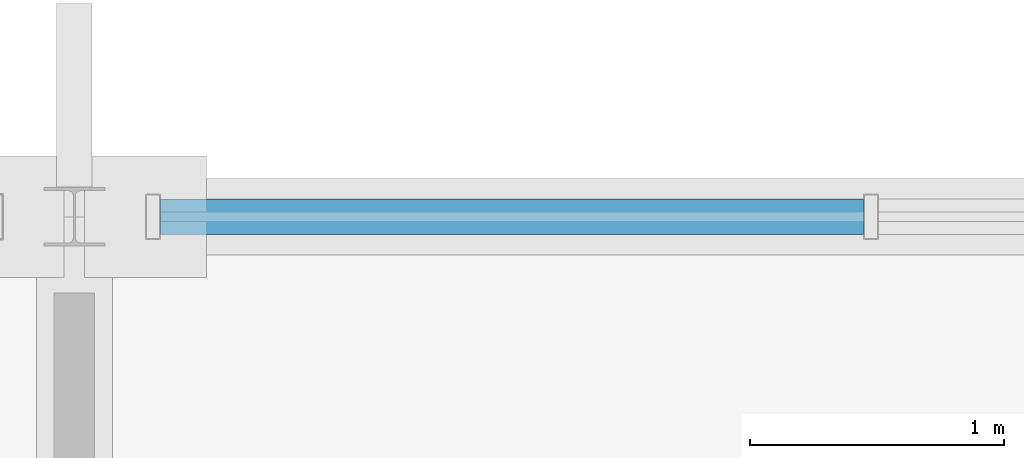
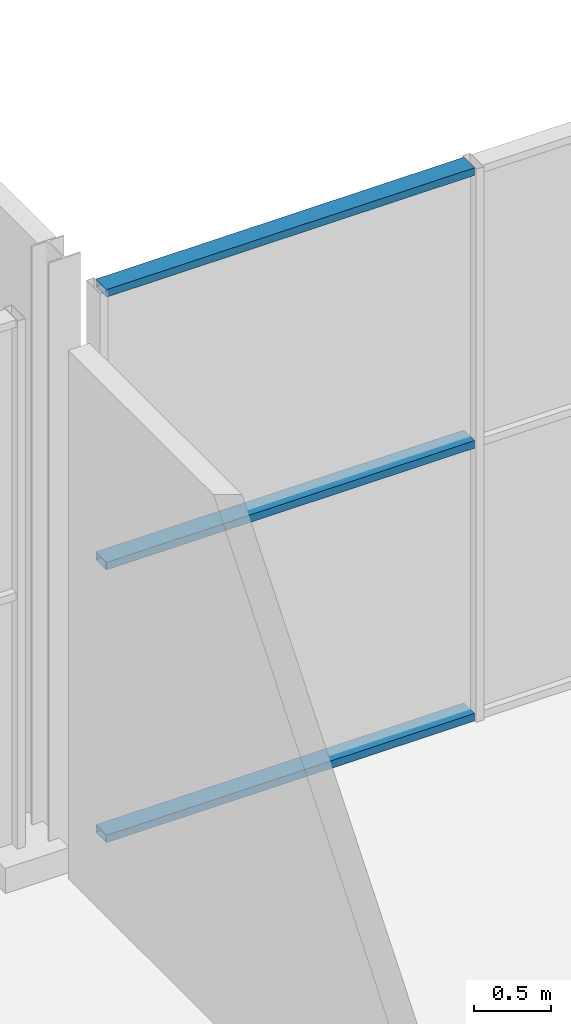
# One storey, part 67 of 159: 3 members, 1 element without a shape of its own.
"""IFC4 building model written with IfcOpenShell, lengths in metres."""

from ifc_helpers import new_model, si_unit, direction, frame, origin, origin_2d, place, context, subcontext, project, spatial, hollow_rectangle, extrude, material, material_profile, profile_set, type_object, element, aggregate, save


model = new_model("IFC4")

# Units and contexts
model_context = context("Model", 3, precision=1e-05, world=origin(), true_north=direction((0.0, 1.0)))
body_context = subcontext(model_context, "Body", "Model", "MODEL_VIEW")
ifc_project = project(units=[si_unit("LENGTHUNIT", "METRE"), si_unit("AREAUNIT", "SQUARE_METRE"), si_unit("VOLUMEUNIT", "CUBIC_METRE"), si_unit("PLANEANGLEUNIT", "RADIAN"), si_unit("MASSUNIT", "GRAM", prefix="KILO")], contexts=[model_context])

# Site, building, storey
site_placement = place(None, origin())
site = spatial("IfcSite", under=ifc_project, at=site_placement, CompositionType="ELEMENT")
building_placement = place(site_placement, origin())
building = spatial("IfcBuilding", under=site, at=building_placement, Name="Merenkruunu Market Hall", CompositionType="ELEMENT")
storey_placement = place(building_placement, frame((0.0, 0.0, 5.39990234375)))
storey = spatial("IfcBuildingStorey", under=building, at=storey_placement, Name="L01", CompositionType="ELEMENT", Elevation=5.39990234375)

# Curtain wall, members
ifc_material = material(Name="Powder-coated aluminium", Category="aluminium")
curtain_wall_type = type_object("IfcCurtainWallType", Name="Glazed Curtain Wall CW05", PredefinedType="USERDEFINED", material=ifc_material)
curtain_wall_placement = place(storey_placement, origin())
curtain_wall = element("IfcCurtainWall", 1, at=curtain_wall_placement, inside=storey, type_object=curtain_wall_type, Name="CW-L01-CWM02-197", ObjectType="GLAZED_FACADE", PredefinedType="USERDEFINED")
ifc_material_profile = material_profile(ifc_material, hollow_rectangle(XDim=0.06005859375, YDim=0.139892578125, WallThickness=0.00390625, at=origin_2d()), Name="ALU 60x140x4")
ifc_profile_set = profile_set([ifc_material_profile], Name="Powder-coated aluminium")
member_type = type_object("IfcMemberType", Name="Curtain Wall Transom CWT02", PredefinedType="USERDEFINED", material=ifc_profile_set)
member_1_placement = place(storey_placement, frame((125.139892578125, 45.60009765625, 0.030029296875), z_axis=(1.0, 0.0, 0.0), x_axis=(0.0, 0.0, 1.0)))
member_1 = element("IfcMember", 2, at=member_1_placement, type_object=member_type, Name="CW05 transom 1.1", ObjectType="TRANSOM", PredefinedType="USERDEFINED", context=body_context, shape_type="SweptSolid", body=[
    extrude(hollow_rectangle(XDim=0.06005859375, YDim=0.139892578125, WallThickness=0.00390625, at=origin_2d()), origin(), (0.0, 0.0, 1.0), 2.77001953125),
])
member_2_placement = place(storey_placement, frame((125.139892578125, 45.60009765625, 2.2001953125), z_axis=(1.0, 0.0, 0.0), x_axis=(0.0, 0.0, 1.0)))
member_2 = element("IfcMember", 3, at=member_2_placement, type_object=member_type, Name="CW05 transom 1.2", ObjectType="TRANSOM", PredefinedType="USERDEFINED", context=body_context, shape_type="SweptSolid", body=[
    extrude(hollow_rectangle(XDim=0.06005859375, YDim=0.139892578125, WallThickness=0.00390625, at=origin_2d()), origin(), (0.0, 0.0, 1.0), 2.77001953125),
])
member_3_placement = place(storey_placement, frame((125.139892578125, 45.60009765625, 4.3701171875), z_axis=(1.0, 0.0, 0.0), x_axis=(0.0, 0.0, 1.0)))
member_3 = element("IfcMember", 4, at=member_3_placement, type_object=member_type, Name="CW05 transom 1.3", ObjectType="TRANSOM", PredefinedType="USERDEFINED", context=body_context, shape_type="SweptSolid", body=[
    extrude(hollow_rectangle(XDim=0.06005859375, YDim=0.139892578125, WallThickness=0.00390625, at=origin_2d()), origin(), (0.0, 0.0, 1.0), 2.77001953125),
])
aggregate(curtain_wall, [member_1, member_2, member_3])

save(model, "model.ifc")
